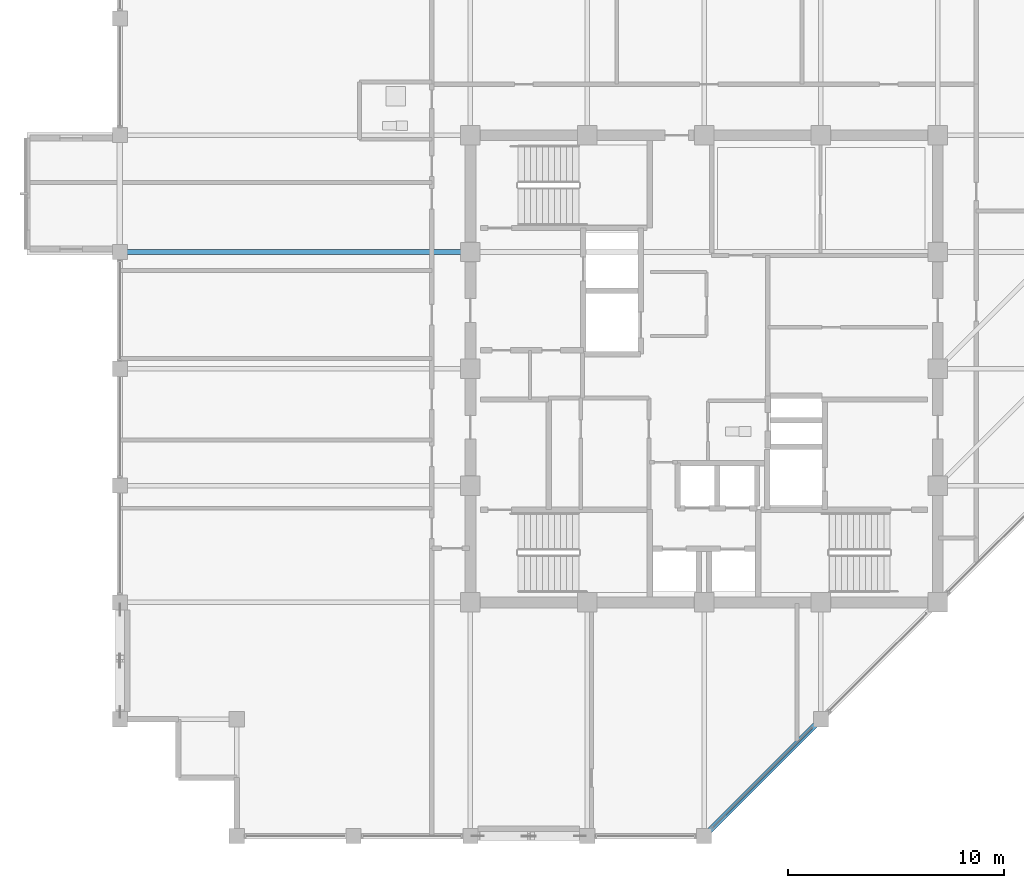
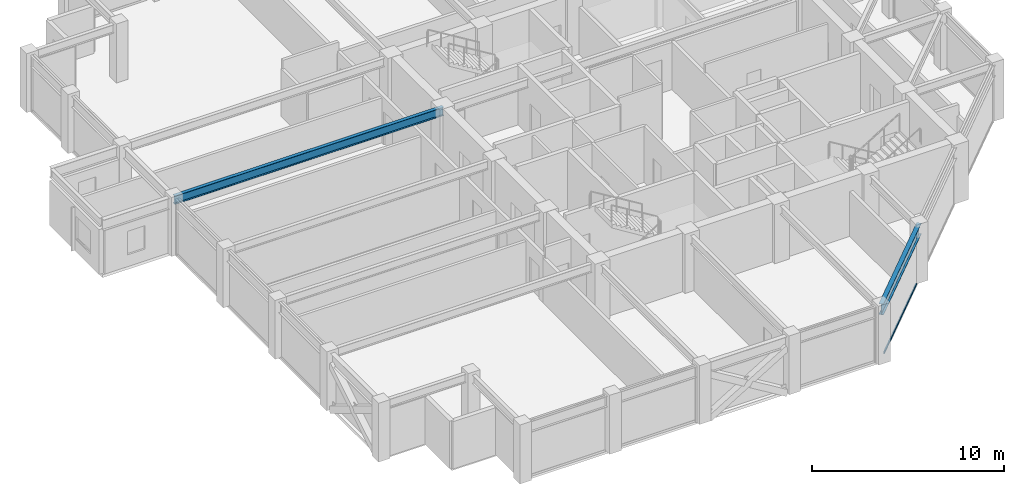
# One storey, part 8 of 31: 2 beams, 1 member, 1 element without a shape of its own.
"""IFC4 building model written with IfcOpenShell, lengths in metres."""

from ifc_helpers import new_model, si_unit, direction, frame, origin, origin_2d, place, context, subcontext, project, spatial, hollow_rectangle, i_section, extrude, material, layer, layer_set, material_profile, profile_set, type_object, element, aggregate, save


model = new_model("IFC4")

# Units and contexts
model_context = context("Model", 3, precision=1e-05, world=origin(), true_north=direction((0.0, 1.0)))
body_context = subcontext(model_context, "Body", "Model", "MODEL_VIEW")
ifc_project = project(units=[si_unit("LENGTHUNIT", "METRE"), si_unit("AREAUNIT", "SQUARE_METRE"), si_unit("VOLUMEUNIT", "CUBIC_METRE"), si_unit("PLANEANGLEUNIT", "RADIAN"), si_unit("MASSUNIT", "GRAM", prefix="KILO")], contexts=[model_context])

# Site, building, storey
site_placement = place(None, origin())
site = spatial("IfcSite", under=ifc_project, at=site_placement, CompositionType="ELEMENT")
building_placement = place(site_placement, origin())
building = spatial("IfcBuilding", under=site, at=building_placement, Name="Surkhivell Harbour Commons", CompositionType="ELEMENT")
storey_placement = place(building_placement, frame((0.0, 0.0, 262.5)))
storey = spatial("IfcBuildingStorey", under=building, at=storey_placement, Name="L68", CompositionType="ELEMENT", Elevation=262.5)

# Beams
ifc_material_1 = material(Name="Steel S355", Category="steel")
ifc_material_profile_1 = material_profile(ifc_material_1, i_section(OverallWidth=0.2099609375, OverallDepth=0.537109375, WebThickness=0.0107421875, FlangeThickness=0.017333984375, at=origin_2d()), Name="UB533x210x101")
ifc_profile_set_1 = profile_set([ifc_material_profile_1], Name="Steel S355")
beam_type_1 = type_object("IfcBeamType", Name="BM-GRD-533B", PredefinedType="BEAM", material=ifc_profile_set_1)
beam_1_placement = place(storey_placement, frame((-27.0, 5.39990234375, 3.301513671875), z_axis=(1.0, 0.0, 0.0), x_axis=(0.0, 1.0, 0.0)))
element("IfcBeam", 1, at=beam_1_placement, inside=storey, type_object=beam_type_1, Name="L68 Cantilever Back-Span Girder (-27.0,5.4)", PredefinedType="BEAM", context=body_context, shape_type="SweptSolid", body=[
    extrude(i_section(OverallWidth=0.2099609375, OverallDepth=0.537109375, WebThickness=0.0107421875, FlangeThickness=0.017333984375, at=origin_2d()), origin(), (0.0, 0.0, 1.0), 16.199951171875),
])
ifc_material_profile_2 = material_profile(ifc_material_1, i_section(OverallWidth=0.256103515625, OverallDepth=0.693115234375, WebThickness=0.014404296875, FlangeThickness=0.023681640625, at=origin_2d()), Name="UB686x254x170")
ifc_profile_set_2 = profile_set([ifc_material_profile_2], Name="Steel S355")
beam_type_2 = type_object("IfcBeamType", Name="BM-SPN-686", PredefinedType="SPANDREL", material=ifc_profile_set_2)
beam_2_placement = place(storey_placement, frame((0.0, -21.60009765625, 3.223388671875), z_axis=(0.707090796496, 0.707122765516, 0.0), x_axis=(-0.707122765516, 0.707090796496, 0.0)))
element("IfcBeam", 2, at=beam_2_placement, inside=storey, type_object=beam_type_2, Name="L68 Tube Spandrel (-0.0,-21.6)", PredefinedType="SPANDREL", context=body_context, shape_type="SweptSolid", body=[
    extrude(i_section(OverallWidth=0.256103515625, OverallDepth=0.693115234375, WebThickness=0.014404296875, FlangeThickness=0.023681640625, at=origin_2d()), origin(), (0.0, 0.0, 1.0), 7.63671875),
])

# Curtain wall, member
ifc_material_2 = material(Name="Anodised pale-metal aluminium and insulated glazing", Category="aluminium")
ifc_layer = layer(ifc_material_2, 0.175048828125)
ifc_layer_set = layer_set([ifc_layer], Name="Anodised pale-metal aluminium and insulated glazing")
curtain_wall_type = type_object("IfcCurtainWallType", Name="CW-SYS-Z4", PredefinedType="NOTDEFINED", material=ifc_layer_set)
curtain_wall_placement = place(storey_placement, origin())
curtain_wall = element("IfcCurtainWall", 3, at=curtain_wall_placement, inside=storey, type_object=curtain_wall_type, Name="L68 Curtain Wall CW-L68-E01", PredefinedType="NOTDEFINED")
ifc_material_3 = material(Name="Champagne anodised aluminium alloy 6063-T6", Category="aluminium")
ifc_material_profile_3 = material_profile(ifc_material_3, hollow_rectangle(XDim=0.070068359375, YDim=0.1298828125, WallThickness=0.00341796875, at=origin_2d()), Name="ALU-TRAN-70x130")
ifc_profile_set_3 = profile_set([ifc_material_profile_3], Name="Champagne anodised aluminium alloy 6063-T6")
member_type = type_object("IfcMemberType", Name="CWT-130", PredefinedType="USERDEFINED", material=ifc_profile_set_3)
member_placement = place(storey_placement, frame((0.404541015625, -21.1953125, 0.06494140625), z_axis=(0.707125583467, 0.707087978406, 0.0), x_axis=(-0.707087978406, 0.707125583467, 0.0)))
member = element("IfcMember", 4, at=member_placement, type_object=member_type, Name="CW-Z4 transom 1.1", ObjectType="TRANSOM", PredefinedType="USERDEFINED", context=body_context, shape_type="SweptSolid", body=[
    extrude(hollow_rectangle(XDim=0.070068359375, YDim=0.1298828125, WallThickness=0.00341796875, at=origin_2d()), origin(), (0.0, 0.0, 1.0), 6.4921875),
])
aggregate(curtain_wall, [member])

save(model, "model.ifc")
